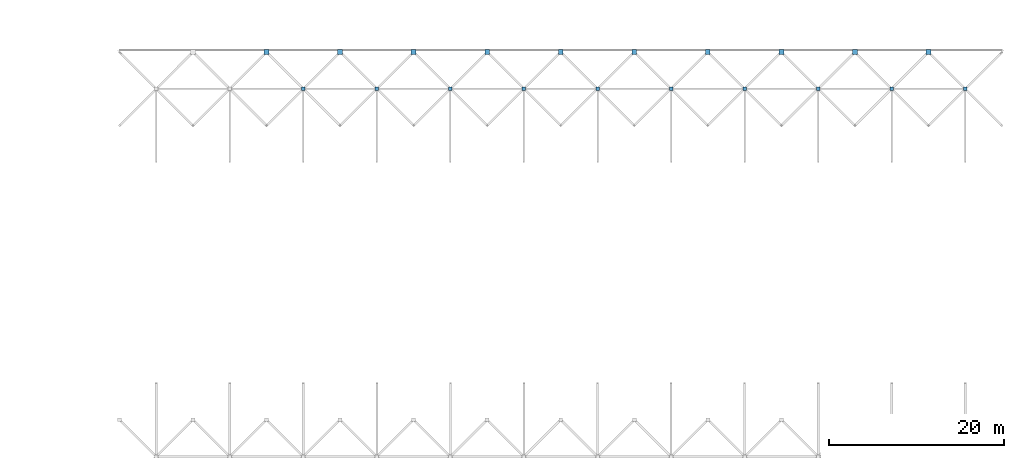
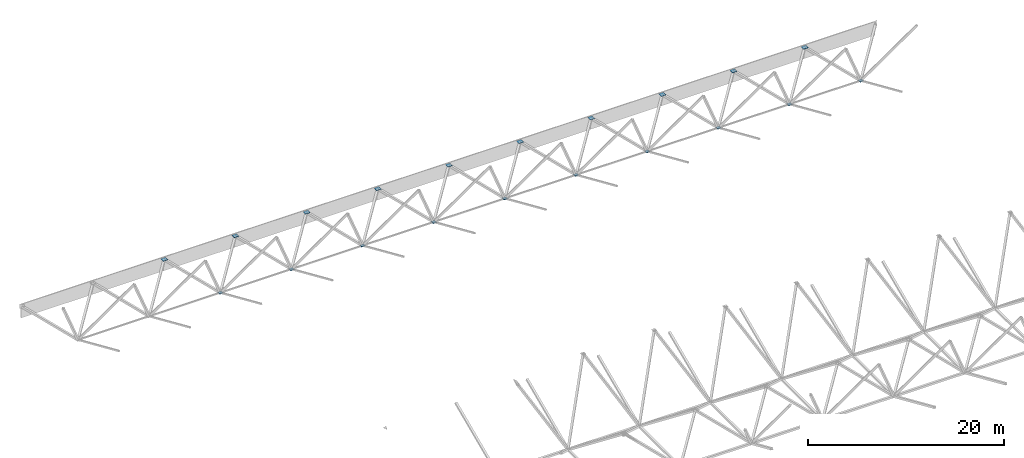
# One storey, part 69 of 85: 20 discrete accessories.
"""IFC4 building model written with IfcOpenShell, lengths in metres."""

import ifcopenshell
import ifcopenshell.guid

model = None  # the IFC model being written
_history = None  # IfcOwnerHistory: only IFC2X3 demands one
_inside = {}  # id of a spatial element -> (the spatial element, [elements in it])
_under = {}  # id of a project, library or spatial element -> (it, [spatial elements below it])
_declared = {}  # id of a project -> (the project, [libraries it declares])
_typed = {}  # id of a type object -> (the type object, [elements of that type])
_made_of = {}  # id of a material, layer set ... -> (it, [elements and type objects made of it])


def new_model(schema):
    """Start an empty IFC model of exactly this schema.

    Asked for "IFC4X3", IfcOpenShell would pick the latest addendum, in which some entities
    have other attributes; the version numbers below select the first issue.
    IFC2X3 requires an IfcOwnerHistory on every rooted entity: one is made here for all.
    """
    global model, _history
    if schema == "IFC4X3":
        model = ifcopenshell.file(schema_version=(4, 3, 0, 0))
    else:
        model = ifcopenshell.file(schema=schema)
    _inside.clear()
    _under.clear()
    _declared.clear()
    _typed.clear()
    _made_of.clear()
    _history = None
    if model.schema == "IFC2X3":
        org = make("IfcOrganization", Name="unknown")
        user = make(
            "IfcPersonAndOrganization",
            ThePerson=make("IfcPerson", FamilyName="unknown"),
            TheOrganization=org,
        )
        app = make(
            "IfcApplication",
            ApplicationDeveloper=org,
            Version="unknown",
            ApplicationFullName="unknown",
            ApplicationIdentifier="unknown",
        )
        _history = make(
            "IfcOwnerHistory",
            OwningUser=user,
            OwningApplication=app,
            ChangeAction="ADDED",
            CreationDate=0,
        )
    return model


def make(cls, **values):
    """One entity of the class cls with the attributes given. An attribute that is None is left unset."""
    return model.create_entity(
        cls, **{name: value for name, value in values.items() if value is not None}
    )


def rooted(cls, **values):
    """An entity with a GlobalId (a new one), such as an element, a storey or a relation."""
    return make(cls, GlobalId=ifcopenshell.guid.new(), OwnerHistory=_history, **values)


def si_unit(unit_type, name, prefix=None):
    """IfcSIUnit, for example si_unit("LENGTHUNIT", "METRE", prefix="MILLI")."""
    return make("IfcSIUnit", UnitType=unit_type, Prefix=prefix, Name=name)


def assignment(units):
    """IfcUnitAssignment: the units of a project."""
    return None if units is None else make("IfcUnitAssignment", Units=units)


def point(xyz):
    """IfcCartesianPoint."""
    return None if xyz is None else make("IfcCartesianPoint", Coordinates=xyz)


def direction(xyz):
    """IfcDirection."""
    return None if xyz is None else make("IfcDirection", DirectionRatios=xyz)


def frame(location, z_axis=None, x_axis=None):
    """IfcAxis2Placement3D, a coordinate frame: its origin and axes. An axis left out is left unset."""
    return make(
        "IfcAxis2Placement3D",
        Location=point(location),
        Axis=direction(z_axis),
        RefDirection=direction(x_axis),
    )


def frame_2d(location, x_axis=None):
    """IfcAxis2Placement2D, a coordinate frame in the plane: its origin and x axis."""
    return make(
        "IfcAxis2Placement2D", Location=point(location), RefDirection=direction(x_axis)
    )


def origin():
    """The frame at (0, 0, 0) with its axes left unset."""
    return frame((0.0, 0.0, 0.0))


def origin_2d():
    """The frame at (0, 0) in the plane with its x axis left unset."""
    return frame_2d((0.0, 0.0))


def place(relative_to, where):
    """IfcLocalPlacement: puts the frame where relative to a parent placement (None: the world)."""
    return make(
        "IfcLocalPlacement", PlacementRelTo=relative_to, RelativePlacement=where
    )


def context(
    kind, dimensions, precision=None, world=None, true_north=None, identifier=None
):
    """IfcGeometricRepresentationContext, for example the 3D "Model" context."""
    return make(
        "IfcGeometricRepresentationContext",
        ContextIdentifier=identifier,
        ContextType=kind,
        CoordinateSpaceDimension=dimensions,
        Precision=precision,
        WorldCoordinateSystem=world,
        TrueNorth=true_north,
    )


def subcontext(parent, identifier, kind, view, scale=None):
    """IfcGeometricRepresentationSubContext, for example "Body" below "Model"."""
    return make(
        "IfcGeometricRepresentationSubContext",
        ContextIdentifier=identifier,
        ContextType=kind,
        ParentContext=parent,
        TargetScale=scale,
        TargetView=view,
    )


def project(units=None, contexts=None):
    """IfcProject with its units and contexts."""
    return rooted(
        "IfcProject",
        Name="project",
        RepresentationContexts=contexts,
        UnitsInContext=assignment(units),
    )


def spatial(cls, under=None, at=None, **own):
    """A site, building, storey or space (cls), placed at a placement, below another one or the project."""
    s = rooted(cls, ObjectPlacement=at, **own)
    if under is not None:
        _under.setdefault(under.id(), (under, []))[1].append(s)
    return s


def profile(cls, at=None, kind="AREA", **sizes):
    """A parametric profile (cls). Its sizes go by their IFC names, for example OverallWidth=200.0."""
    return make(cls, ProfileType=kind, Position=at, **sizes)


def rectangle(**sizes):
    """IfcRectangleProfileDef."""
    return profile("IfcRectangleProfileDef", **sizes)


def extrude(swept, where, along, depth):
    """IfcExtrudedAreaSolid: the profile swept, set in the frame where, extruded along a direction by depth."""
    return make(
        "IfcExtrudedAreaSolid",
        SweptArea=swept,
        Position=where,
        ExtrudedDirection=direction(along),
        Depth=depth,
    )


def shape(context_of_items, identifier, shape_type, items):
    """IfcShapeRepresentation: the items that make up one representation, for example the "Body"."""
    return make(
        "IfcShapeRepresentation",
        ContextOfItems=context_of_items,
        RepresentationIdentifier=identifier,
        RepresentationType=shape_type,
        Items=items,
    )


def material(Name=None, Category=None):
    """IfcMaterial."""
    return make("IfcMaterial", Name=Name, Category=Category)


def layer(
    of_material, thickness, ventilated=None, Name=None, Category=None, Priority=None
):
    """IfcMaterialLayer: one layer of a wall or slab, of a material (None: an air gap)."""
    return make(
        "IfcMaterialLayer",
        Material=of_material,
        LayerThickness=thickness,
        IsVentilated=ventilated,
        Name=Name,
        Category=Category,
        Priority=Priority,
    )


def layer_set(layers, Name=None):
    """IfcMaterialLayerSet."""
    return make("IfcMaterialLayerSet", MaterialLayers=layers, LayerSetName=Name)


def made_of(thing, what):
    """Note that an element or type object is made of a material, layer set ...; save() writes the relation."""
    if what is not None:
        _made_of.setdefault(what.id(), (what, []))[1].append(thing)
    return thing


def type_object(cls, material=None, **own):
    """A type object (cls), such as IfcWallType, which elements share."""
    return made_of(rooted(cls, **own), material)


def element(
    cls,
    number,
    at=None,
    inside=None,
    cuts=None,
    type_object=None,
    material=None,
    context=None,
    identifier="Body",
    shape_type=None,
    held_by="IfcProductDefinitionShape",
    body=None,
    shapes=None,
    **own,
):
    """One element of the class cls, such as IfcWall. Its Tag is "e" and its number.

    at: its placement. inside: the storey or other place that contains it. cuts: it is an
    opening in that element (IfcRelVoidsElement). A single representation is given by context,
    identifier, shape_type and body (its items); several are given by shapes. held_by: the class
    of the entity that holds the representations. save() writes the other relations.
    """
    e = rooted(cls, Tag="e%d" % number, ObjectPlacement=at, **own)
    if body is not None:
        shapes = [shape(context, identifier, shape_type, body)]
    if shapes is not None:
        e.Representation = make(held_by, Representations=shapes)
    if inside is not None:
        _inside.setdefault(inside.id(), (inside, []))[1].append(e)
    if cuts is not None:
        rooted(
            "IfcRelVoidsElement", RelatingBuildingElement=cuts, RelatedOpeningElement=e
        )
    if type_object is not None:
        _typed.setdefault(type_object.id(), (type_object, []))[1].append(e)
    return made_of(e, material)


def aggregate(whole, parts):
    """IfcRelAggregates: a whole, such as a stair, and the parts it consists of."""
    return rooted("IfcRelAggregates", RelatingObject=whole, RelatedObjects=parts)


def save(model, path):
    """Write the relations noted so far, then the file.

    IfcRelAggregates (storeys below a building ...), IfcRelContainedInSpatialStructure (elements
    in a storey), IfcRelDefinesByType, IfcRelAssociatesMaterial and IfcRelDeclares: one each for
    every whole, place, type object, material and project.
    """
    for whole, parts in _under.values():
        aggregate(whole, parts)
    for where, things in _inside.values():
        rooted(
            "IfcRelContainedInSpatialStructure",
            RelatedElements=things,
            RelatingStructure=where,
        )
    for kind, things in _typed.values():
        rooted("IfcRelDefinesByType", RelatedObjects=things, RelatingType=kind)
    for what, things in _made_of.values():
        rooted("IfcRelAssociatesMaterial", RelatedObjects=things, RelatingMaterial=what)
    for by, libraries in _declared.values():
        rooted("IfcRelDeclares", RelatingContext=by, RelatedDefinitions=libraries)
    model.write(path)


model = new_model("IFC4")

# Units and contexts
model_context = context("Model", 3, precision=1e-05, world=origin(), true_north=direction((0.0, 1.0)))
body_context = subcontext(model_context, "Body", "Model", "MODEL_VIEW")
ifc_project = project(units=[si_unit("LENGTHUNIT", "METRE"), si_unit("AREAUNIT", "SQUARE_METRE"), si_unit("VOLUMEUNIT", "CUBIC_METRE"), si_unit("PLANEANGLEUNIT", "RADIAN"), si_unit("MASSUNIT", "GRAM", prefix="KILO")], contexts=[model_context])

# Site, building, storey
site_placement = place(None, origin())
site = spatial("IfcSite", under=ifc_project, at=site_placement, CompositionType="ELEMENT")
building_placement = place(site_placement, origin())
building = spatial("IfcBuilding", under=site, at=building_placement, Name="Rain Tree Exposition and Congress Centre", CompositionType="ELEMENT")
storey_placement = place(building_placement, frame((0.0, 0.0, 15.0)))
storey = spatial("IfcBuildingStorey", under=building, at=storey_placement, Name="L03", CompositionType="ELEMENT", Elevation=15.0)

# Discrete accessories
ifc_material_1 = material(Name="Steel plate S355J2", Category="steel")
ifc_layer_1 = layer(ifc_material_1, 0.02001953125)
ifc_layer_set_1 = layer_set([ifc_layer_1], Name="Steel plate S355J2")
discrete_accessory_type_1 = type_object("IfcDiscreteAccessoryType", Name="Brace node plate 400x400x20", PredefinedType="BRACKET", material=ifc_layer_set_1)
for number, where, z_axis, x_axis, name in (
    (1, (163.800048828125, 197.39990234375, 1.762939453125), (0.0, 0.0, 1.0), (1.0, 0.0, 0.0), "Brace node plate 400"),
    (2, (172.199951171875, 197.39990234375, 1.762939453125), (0.0, 0.0, 1.0), (1.0, 0.0, 0.0), "Brace node plate 400"),
    (3, (180.60009765625, 197.39990234375, 1.762939453125), (0.0, 0.0, 1.0), (1.0, 0.0, 0.0), "Brace node plate 400"),
    (4, (189.0, 197.39990234375, 1.762939453125), (0.0, 0.0, 1.0), (1.0, 0.0, 0.0), "Brace node plate 400"),
    (5, (197.39990234375, 197.39990234375, 1.762939453125), (0.0, 0.0, 1.0), (1.0, 0.0, 0.0), "Brace node plate 400"),
    (6, (205.800048828125, 197.39990234375, 1.762939453125), (0.0, 0.0, 1.0), (1.0, 0.0, 0.0), "Brace node plate 400"),
    (7, (214.199951171875, 197.39990234375, 1.762939453125), (0.0, 0.0, 1.0), (1.0, 0.0, 0.0), "Brace node plate 400"),
    (8, (222.60009765625, 197.39990234375, 1.762939453125), (0.0, 0.0, 1.0), (1.0, 0.0, 0.0), "Brace node plate 400"),
    (9, (231.0, 197.39990234375, 1.762939453125), (0.0, 0.0, 1.0), (1.0, 0.0, 0.0), "Brace node plate 400"),
    (10, (239.39990234375, 197.39990234375, 1.762939453125), (0.0, 0.0, 1.0), (1.0, 0.0, 0.0), "Brace node plate 400"),
):
    element("IfcDiscreteAccessory", number, at=place(storey_placement, frame(where, z_axis=z_axis, x_axis=x_axis)), inside=storey, type_object=discrete_accessory_type_1, Name=name, PredefinedType="BRACKET", context=body_context, shape_type="SweptSolid", body=[
        extrude(rectangle(XDim=0.39990234375, YDim=0.39990234375, at=origin_2d()), origin(), (0.0, 0.0, 1.0), 0.02001953125),
    ])
ifc_material_2 = material(Name="Steel plate S355J2", Category="steel")
ifc_layer_2 = layer(ifc_material_2, 0.02001953125)
ifc_layer_set_2 = layer_set([ifc_layer_2], Name="Steel plate S355J2")
discrete_accessory_type_2 = type_object("IfcDiscreteAccessoryType", Name="Brace node plate 550x550x20", PredefinedType="BRACKET", material=ifc_layer_set_2)
for number, where, z_axis, x_axis, name in (
    (11, (159.60009765625, 201.60009765625, 4.840087890625), (0.0, 0.0, 1.0), (1.0, 0.0, 0.0), "Brace node plate 550"),
    (12, (168.0, 201.60009765625, 4.840087890625), (0.0, 0.0, 1.0), (1.0, 0.0, 0.0), "Brace node plate 550"),
    (13, (176.39990234375, 201.60009765625, 4.840087890625), (0.0, 0.0, 1.0), (1.0, 0.0, 0.0), "Brace node plate 550"),
    (14, (184.800048828125, 201.60009765625, 4.840087890625), (0.0, 0.0, 1.0), (1.0, 0.0, 0.0), "Brace node plate 550"),
    (15, (193.199951171875, 201.60009765625, 4.840087890625), (0.0, 0.0, 1.0), (1.0, 0.0, 0.0), "Brace node plate 550"),
    (16, (201.60009765625, 201.60009765625, 4.840087890625), (0.0, 0.0, 1.0), (1.0, 0.0, 0.0), "Brace node plate 550"),
    (17, (210.0, 201.60009765625, 4.840087890625), (0.0, 0.0, 1.0), (1.0, 0.0, 0.0), "Brace node plate 550"),
    (18, (218.39990234375, 201.60009765625, 4.840087890625), (0.0, 0.0, 1.0), (1.0, 0.0, 0.0), "Brace node plate 550"),
    (19, (226.800048828125, 201.60009765625, 4.840087890625), (0.0, 0.0, 1.0), (1.0, 0.0, 0.0), "Brace node plate 550"),
    (20, (235.199951171875, 201.60009765625, 4.840087890625), (0.0, 0.0, 1.0), (1.0, 0.0, 0.0), "Brace node plate 550"),
):
    element("IfcDiscreteAccessory", number, at=place(storey_placement, frame(where, z_axis=z_axis, x_axis=x_axis)), inside=storey, type_object=discrete_accessory_type_2, Name=name, PredefinedType="BRACKET", context=body_context, shape_type="SweptSolid", body=[
        extrude(rectangle(XDim=0.550048828125, YDim=0.550048828125, at=origin_2d()), origin(), (0.0, 0.0, 1.0), 0.02001953125),
    ])

save(model, "model.ifc")
